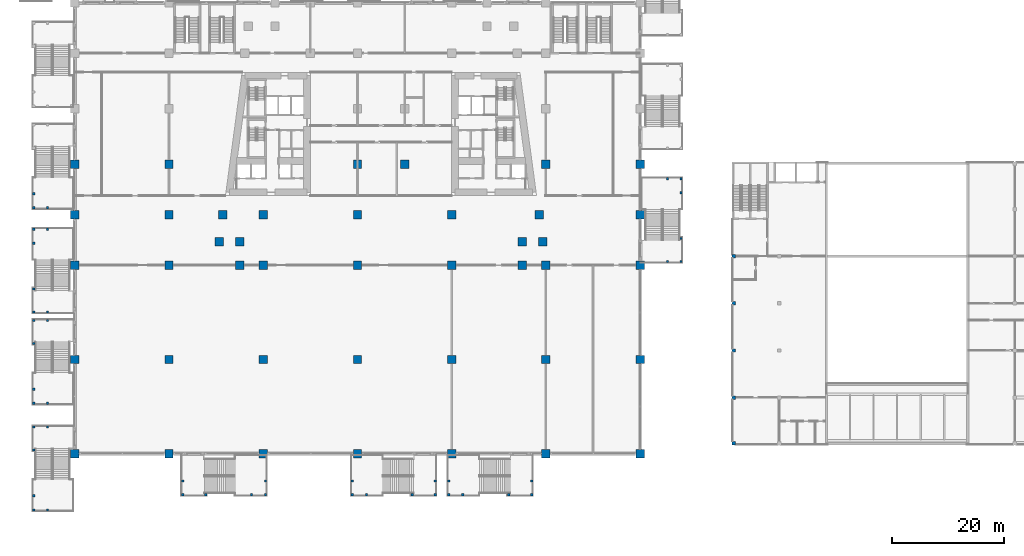
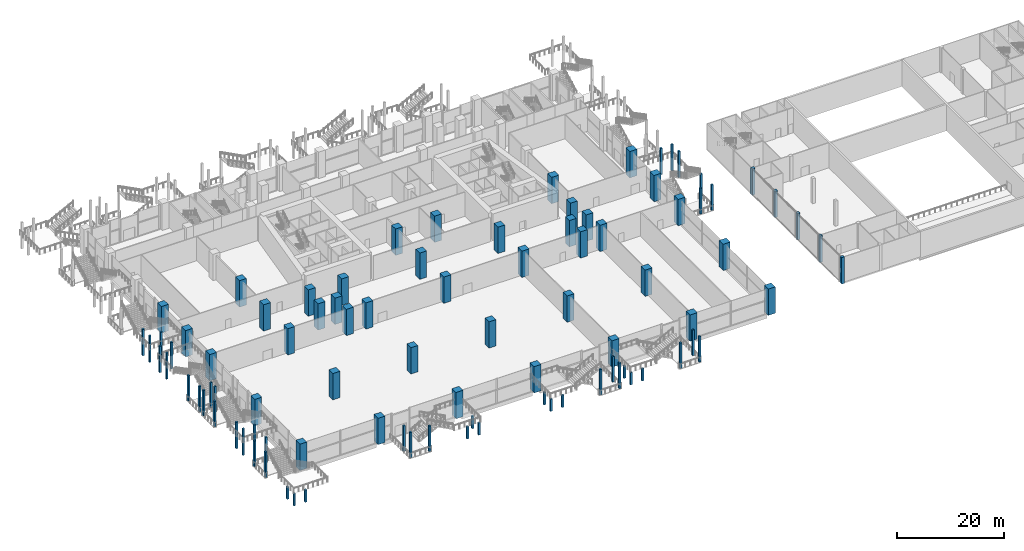
# One storey, part 1 of 49: 91 columns.
"""IFC4 building model written with IfcOpenShell, lengths in metres."""

from ifc_helpers import new_model, si_unit, direction, frame, origin, origin_2d, place, context, subcontext, project, spatial, rectangle, extrude, material, material_profile, profile_set, type_object, element, save


model = new_model("IFC4")

# Units and contexts
model_context = context("Model", 3, precision=1e-05, world=origin(), true_north=direction((0.0, 1.0)))
body_context = subcontext(model_context, "Body", "Model", "MODEL_VIEW")
ifc_project = project(units=[si_unit("LENGTHUNIT", "METRE"), si_unit("AREAUNIT", "SQUARE_METRE"), si_unit("VOLUMEUNIT", "CUBIC_METRE"), si_unit("PLANEANGLEUNIT", "RADIAN"), si_unit("MASSUNIT", "GRAM", prefix="KILO")], contexts=[model_context])

# Site, building, storey
site_placement = place(None, origin())
site = spatial("IfcSite", under=ifc_project, at=site_placement, CompositionType="ELEMENT")
building_placement = place(site_placement, origin())
building = spatial("IfcBuilding", under=site, at=building_placement, Name="Candeia Pilgrim Tower and Theatre", CompositionType="ELEMENT")
storey_placement = place(building_placement, frame((0.0, 0.0, 17.0)))
storey = spatial("IfcBuildingStorey", under=building, at=storey_placement, Name="L02", CompositionType="ELEMENT", Elevation=17.0)

# Columns
ifc_material_1 = material(Name="Concrete C40/50", Category="concrete")
ifc_material_profile_1 = material_profile(ifc_material_1, rectangle(XDim=0.39990234375, YDim=0.39990234375, at=origin_2d()))
ifc_profile_set_1 = profile_set([ifc_material_profile_1], Name="Concrete C40/50")
column_type_1 = type_object("IfcColumnType", Name="Escape stair column RC 400x400", PredefinedType="COLUMN", material=ifc_profile_set_1)
for number, where, z_axis, x_axis, name in (
    (1, (166.89990234375, 98.64990234375, 0.0), (0.0, 0.0, 1.0), (1.0, 0.0, 0.0), "External escape stair ES1 column N1.3"),
    (2, (166.89990234375, 102.75, 0.0), (0.0, 0.0, 1.0), (1.0, 0.0, 0.0), "External escape stair ES1 column N2.3"),
    (3, (164.47509765625, 98.64990234375, 0.0), (0.0, 0.0, 1.0), (1.0, 0.0, 0.0), "External escape stair ES1 column N3.3"),
):
    element("IfcColumn", number, at=place(storey_placement, frame(where, z_axis=z_axis, x_axis=x_axis)), inside=storey, type_object=column_type_1, Name=name, PredefinedType="COLUMN", context=body_context, shape_type="SweptSolid", body=[
        extrude(rectangle(XDim=0.39990234375, YDim=0.39990234375, at=origin_2d()), origin(), (0.0, 0.0, 1.0), 5.800048828125),
    ])
for number, where, z_axis, x_axis, name in (
    (4, (166.89990234375, 110.909912109375, 0.0), (0.0, 0.0, 1.0), (1.0, 0.0, 0.0), "External escape stair ES1 column F1.3"),
    (5, (166.89990234375, 113.409912109375, 0.0), (0.0, 0.0, 1.0), (1.0, 0.0, 0.0), "External escape stair ES1 column F2.3"),
    (6, (164.47509765625, 113.409912109375, 0.0), (0.0, 0.0, 1.0), (1.0, 0.0, 0.0), "External escape stair ES1 column F3.3"),
):
    element("IfcColumn", number, at=place(storey_placement, frame(where, z_axis=z_axis, x_axis=x_axis)), inside=storey, type_object=column_type_1, Name=name, PredefinedType="COLUMN", context=body_context, shape_type="SweptSolid", body=[
        extrude(rectangle(XDim=0.39990234375, YDim=0.39990234375, at=origin_2d()), origin(), (0.0, 0.0, 1.0), 6.0),
    ])
for number, where, z_axis, x_axis, name in (
    (7, (78.050048828125, 57.10009765625, 0.0), (0.0, 0.0, 1.0), (1.0, 0.0, 0.0), "External escape stair ES8 column N1.3"),
    (8, (82.14990234375, 57.10009765625, 0.0), (0.0, 0.0, 1.0), (1.0, 0.0, 0.0), "External escape stair ES8 column N2.3"),
    (9, (78.050048828125, 59.52490234375, 0.0), (0.0, 0.0, 1.0), (1.0, 0.0, 0.0), "External escape stair ES8 column N3.3"),
):
    element("IfcColumn", number, at=place(storey_placement, frame(where, z_axis=z_axis, x_axis=x_axis)), inside=storey, type_object=column_type_1, Name=name, PredefinedType="COLUMN", context=body_context, shape_type="SweptSolid", body=[
        extrude(rectangle(XDim=0.39990234375, YDim=0.39990234375, at=origin_2d()), origin(), (0.0, 0.0, 1.0), 5.800048828125),
    ])
for number, where, z_axis, x_axis, name in (
    (10, (90.31005859375, 57.10009765625, 0.0), (0.0, 0.0, 1.0), (1.0, 0.0, 0.0), "External escape stair ES8 column F1.3"),
    (11, (92.81005859375, 57.10009765625, 0.0), (0.0, 0.0, 1.0), (1.0, 0.0, 0.0), "External escape stair ES8 column F2.3"),
    (12, (92.81005859375, 59.52490234375, 0.0), (0.0, 0.0, 1.0), (1.0, 0.0, 0.0), "External escape stair ES8 column F3.3"),
):
    element("IfcColumn", number, at=place(storey_placement, frame(where, z_axis=z_axis, x_axis=x_axis)), inside=storey, type_object=column_type_1, Name=name, PredefinedType="COLUMN", context=body_context, shape_type="SweptSolid", body=[
        extrude(rectangle(XDim=0.39990234375, YDim=0.39990234375, at=origin_2d()), origin(), (0.0, 0.0, 1.0), 2.800048828125),
    ])
for number, where, z_axis, x_axis, name in (
    (13, (123.050048828125, 57.10009765625, 0.0), (0.0, 0.0, 1.0), (1.0, 0.0, 0.0), "External escape stair ES9 column N1.3"),
    (14, (118.949951171875, 57.10009765625, 0.0), (0.0, 0.0, 1.0), (1.0, 0.0, 0.0), "External escape stair ES9 column N2.3"),
    (15, (123.050048828125, 59.52490234375, 0.0), (0.0, 0.0, 1.0), (1.0, 0.0, 0.0), "External escape stair ES9 column N3.3"),
):
    element("IfcColumn", number, at=place(storey_placement, frame(where, z_axis=z_axis, x_axis=x_axis)), inside=storey, type_object=column_type_1, Name=name, PredefinedType="COLUMN", context=body_context, shape_type="SweptSolid", body=[
        extrude(rectangle(XDim=0.39990234375, YDim=0.39990234375, at=origin_2d()), origin(), (0.0, 0.0, 1.0), 5.800048828125),
    ])
for number, where, z_axis, x_axis, name in (
    (16, (110.7900390625, 57.10009765625, 0.0), (0.0, 0.0, 1.0), (1.0, 0.0, 0.0), "External escape stair ES9 column F1.3"),
    (17, (108.2900390625, 57.10009765625, 0.0), (0.0, 0.0, 1.0), (1.0, 0.0, 0.0), "External escape stair ES9 column F2.3"),
    (18, (108.2900390625, 59.52490234375, 0.0), (0.0, 0.0, 1.0), (1.0, 0.0, 0.0), "External escape stair ES9 column F3.3"),
):
    element("IfcColumn", number, at=place(storey_placement, frame(where, z_axis=z_axis, x_axis=x_axis)), inside=storey, type_object=column_type_1, Name=name, PredefinedType="COLUMN", context=body_context, shape_type="SweptSolid", body=[
        extrude(rectangle(XDim=0.39990234375, YDim=0.39990234375, at=origin_2d()), origin(), (0.0, 0.0, 1.0), 2.800048828125),
    ])
for number, where, z_axis, x_axis, name in (
    (19, (51.5, 69.14990234375, 0.0), (0.0, 0.0, 1.0), (1.0, 0.0, 0.0), "External escape stair ES10 column N1.3"),
    (20, (51.5, 65.050048828125, 0.0), (0.0, 0.0, 1.0), (1.0, 0.0, 0.0), "External escape stair ES10 column N2.3"),
    (21, (53.925048828125, 69.14990234375, 0.0), (0.0, 0.0, 1.0), (1.0, 0.0, 0.0), "External escape stair ES10 column N3.3"),
):
    element("IfcColumn", number, at=place(storey_placement, frame(where, z_axis=z_axis, x_axis=x_axis)), inside=storey, type_object=column_type_1, Name=name, PredefinedType="COLUMN", context=body_context, shape_type="SweptSolid", body=[
        extrude(rectangle(XDim=0.39990234375, YDim=0.39990234375, at=origin_2d()), origin(), (0.0, 0.0, 1.0), 5.800048828125),
    ])
for number, where, z_axis, x_axis, name in (
    (22, (51.5, 56.889892578125, 0.0), (0.0, 0.0, 1.0), (1.0, 0.0, 0.0), "External escape stair ES10 column F1.3"),
    (23, (51.5, 54.389892578125, 0.0), (0.0, 0.0, 1.0), (1.0, 0.0, 0.0), "External escape stair ES10 column F2.3"),
    (24, (53.925048828125, 54.389892578125, 0.0), (0.0, 0.0, 1.0), (1.0, 0.0, 0.0), "External escape stair ES10 column F3.3"),
):
    element("IfcColumn", number, at=place(storey_placement, frame(where, z_axis=z_axis, x_axis=x_axis)), inside=storey, type_object=column_type_1, Name=name, PredefinedType="COLUMN", context=body_context, shape_type="SweptSolid", body=[
        extrude(rectangle(XDim=0.39990234375, YDim=0.39990234375, at=origin_2d()), origin(), (0.0, 0.0, 1.0), 2.800048828125),
    ])
for number, where, z_axis, x_axis, name in (
    (25, (51.5, 88.14990234375, 0.0), (0.0, 0.0, 1.0), (1.0, 0.0, 0.0), "External escape stair ES11 column N1.3"),
    (26, (51.5, 84.050048828125, 0.0), (0.0, 0.0, 1.0), (1.0, 0.0, 0.0), "External escape stair ES11 column N2.3"),
    (27, (53.925048828125, 88.14990234375, 0.0), (0.0, 0.0, 1.0), (1.0, 0.0, 0.0), "External escape stair ES11 column N3.3"),
):
    element("IfcColumn", number, at=place(storey_placement, frame(where, z_axis=z_axis, x_axis=x_axis)), inside=storey, type_object=column_type_1, Name=name, PredefinedType="COLUMN", context=body_context, shape_type="SweptSolid", body=[
        extrude(rectangle(XDim=0.39990234375, YDim=0.39990234375, at=origin_2d()), origin(), (0.0, 0.0, 1.0), 5.800048828125),
    ])
for number, where, z_axis, x_axis, name in (
    (28, (51.5, 75.889892578125, 0.0), (0.0, 0.0, 1.0), (1.0, 0.0, 0.0), "External escape stair ES11 column F1.3"),
    (29, (51.5, 73.389892578125, 0.0), (0.0, 0.0, 1.0), (1.0, 0.0, 0.0), "External escape stair ES11 column F2.3"),
    (30, (53.925048828125, 73.389892578125, 0.0), (0.0, 0.0, 1.0), (1.0, 0.0, 0.0), "External escape stair ES11 column F3.3"),
):
    element("IfcColumn", number, at=place(storey_placement, frame(where, z_axis=z_axis, x_axis=x_axis)), inside=storey, type_object=column_type_1, Name=name, PredefinedType="COLUMN", context=body_context, shape_type="SweptSolid", body=[
        extrude(rectangle(XDim=0.39990234375, YDim=0.39990234375, at=origin_2d()), origin(), (0.0, 0.0, 1.0), 6.0),
    ])
for number, where, z_axis, x_axis, name in (
    (31, (51.5, 89.64990234375, 0.0), (0.0, 0.0, 1.0), (1.0, 0.0, 0.0), "External escape stair ES12 column N1.3"),
    (32, (51.5, 93.75, 0.0), (0.0, 0.0, 1.0), (1.0, 0.0, 0.0), "External escape stair ES12 column N2.3"),
    (33, (53.925048828125, 89.64990234375, 0.0), (0.0, 0.0, 1.0), (1.0, 0.0, 0.0), "External escape stair ES12 column N3.3"),
):
    element("IfcColumn", number, at=place(storey_placement, frame(where, z_axis=z_axis, x_axis=x_axis)), inside=storey, type_object=column_type_1, Name=name, PredefinedType="COLUMN", context=body_context, shape_type="SweptSolid", body=[
        extrude(rectangle(XDim=0.39990234375, YDim=0.39990234375, at=origin_2d()), origin(), (0.0, 0.0, 1.0), 5.800048828125),
    ])
for number, where, z_axis, x_axis, name in (
    (34, (51.5, 101.909912109375, 0.0), (0.0, 0.0, 1.0), (1.0, 0.0, 0.0), "External escape stair ES12 column F1.3"),
    (35, (51.5, 104.409912109375, 0.0), (0.0, 0.0, 1.0), (1.0, 0.0, 0.0), "External escape stair ES12 column F2.3"),
    (36, (53.925048828125, 104.409912109375, 0.0), (0.0, 0.0, 1.0), (1.0, 0.0, 0.0), "External escape stair ES12 column F3.3"),
    (37, (51.5, 110.739990234375, 0.0), (0.0, 0.0, 1.0), (1.0, 0.0, 0.0), "External escape stair ES15 column F1.3"),
    (38, (51.5, 108.239990234375, 0.0), (0.0, 0.0, 1.0), (1.0, 0.0, 0.0), "External escape stair ES15 column F2.3"),
    (39, (53.925048828125, 108.239990234375, 0.0), (0.0, 0.0, 1.0), (1.0, 0.0, 0.0), "External escape stair ES15 column F3.3"),
):
    element("IfcColumn", number, at=place(storey_placement, frame(where, z_axis=z_axis, x_axis=x_axis)), inside=storey, type_object=column_type_1, Name=name, PredefinedType="COLUMN", context=body_context, shape_type="SweptSolid", body=[
        extrude(rectangle(XDim=0.39990234375, YDim=0.39990234375, at=origin_2d()), origin(), (0.0, 0.0, 1.0), 6.0),
    ])
for number, where, z_axis, x_axis, name in (
    (40, (140.25, 57.10009765625, 0.0), (0.0, 0.0, 1.0), (1.0, 0.0, 0.0), "External escape stair ES16 column N1.3"),
    (41, (136.14990234375, 57.10009765625, 0.0), (0.0, 0.0, 1.0), (1.0, 0.0, 0.0), "External escape stair ES16 column N2.3"),
    (42, (140.25, 59.52490234375, 0.0), (0.0, 0.0, 1.0), (1.0, 0.0, 0.0), "External escape stair ES16 column N3.3"),
):
    element("IfcColumn", number, at=place(storey_placement, frame(where, z_axis=z_axis, x_axis=x_axis)), inside=storey, type_object=column_type_1, Name=name, PredefinedType="COLUMN", context=body_context, shape_type="SweptSolid", body=[
        extrude(rectangle(XDim=0.39990234375, YDim=0.39990234375, at=origin_2d()), origin(), (0.0, 0.0, 1.0), 5.800048828125),
    ])
for number, where, z_axis, x_axis, name in (
    (43, (127.989990234375, 57.10009765625, 0.0), (0.0, 0.0, 1.0), (1.0, 0.0, 0.0), "External escape stair ES16 column F1.3"),
    (44, (125.489990234375, 57.10009765625, 0.0), (0.0, 0.0, 1.0), (1.0, 0.0, 0.0), "External escape stair ES16 column F2.3"),
    (45, (125.489990234375, 59.52490234375, 0.0), (0.0, 0.0, 1.0), (1.0, 0.0, 0.0), "External escape stair ES16 column F3.3"),
):
    element("IfcColumn", number, at=place(storey_placement, frame(where, z_axis=z_axis, x_axis=x_axis)), inside=storey, type_object=column_type_1, Name=name, PredefinedType="COLUMN", context=body_context, shape_type="SweptSolid", body=[
        extrude(rectangle(XDim=0.39990234375, YDim=0.39990234375, at=origin_2d()), origin(), (0.0, 0.0, 1.0), 2.800048828125),
    ])
ifc_material_2 = material(Name="Concrete C80/95", Category="concrete")
ifc_material_profile_2 = material_profile(ifc_material_2, rectangle(XDim=1.5, YDim=1.5, at=origin_2d()))
ifc_profile_set_2 = profile_set([ifc_material_profile_2], Name="Concrete C80/95")
column_type_2 = type_object("IfcColumnType", Name="RC 1500x1500 C80/95", PredefinedType="COLUMN", material=ifc_profile_set_2)
for number, where, z_axis, x_axis, name in (
    (46, (58.800048828125, 64.39990234375, 0.0), (0.0, 0.0, 1.0), (1.0, 0.0, 0.0), "Column P-0252-0336"),
    (47, (75.60009765625, 64.39990234375, 0.0), (0.0, 0.0, 1.0), (1.0, 0.0, 0.0), "Column P-0084-0336"),
    (48, (92.39990234375, 64.39990234375, 0.0), (0.0, 0.0, 1.0), (1.0, 0.0, 0.0), "Column P+0084-0336"),
    (49, (109.199951171875, 64.39990234375, 0.0), (0.0, 0.0, 1.0), (1.0, 0.0, 0.0), "Column P+0252-0336"),
    (50, (126.0, 64.39990234375, 0.0), (0.0, 0.0, 1.0), (1.0, 0.0, 0.0), "Column P+0420-0336"),
    (51, (142.800048828125, 64.39990234375, 0.0), (0.0, 0.0, 1.0), (1.0, 0.0, 0.0), "Column P+0588-0336"),
    (52, (159.60009765625, 64.39990234375, 0.0), (0.0, 0.0, 1.0), (1.0, 0.0, 0.0), "Column P+0756-0336"),
    (53, (58.800048828125, 81.199951171875, 0.0), (0.0, 0.0, 1.0), (1.0, 0.0, 0.0), "Column P-0252-0168"),
    (54, (75.60009765625, 81.199951171875, 0.0), (0.0, 0.0, 1.0), (1.0, 0.0, 0.0), "Column P-0084-0168"),
    (55, (92.39990234375, 81.199951171875, 0.0), (0.0, 0.0, 1.0), (1.0, 0.0, 0.0), "Column P+0084-0168"),
    (56, (109.199951171875, 81.199951171875, 0.0), (0.0, 0.0, 1.0), (1.0, 0.0, 0.0), "Column P+0252-0168"),
    (57, (126.0, 81.199951171875, 0.0), (0.0, 0.0, 1.0), (1.0, 0.0, 0.0), "Column P+0420-0168"),
    (58, (142.800048828125, 81.199951171875, 0.0), (0.0, 0.0, 1.0), (1.0, 0.0, 0.0), "Column P+0588-0168"),
    (59, (159.60009765625, 81.199951171875, 0.0), (0.0, 0.0, 1.0), (1.0, 0.0, 0.0), "Column P+0756-0168"),
    (60, (58.800048828125, 98.0, 0.0), (0.0, 0.0, 1.0), (1.0, 0.0, 0.0), "Column P-0252+0000"),
    (61, (75.60009765625, 98.0, 0.0), (0.0, 0.0, 1.0), (1.0, 0.0, 0.0), "Column P-0084+0000"),
    (62, (88.199951171875, 98.0, 0.0), (0.0, 0.0, 1.0), (1.0, 0.0, 0.0), "Column P+0042+0000"),
    (63, (92.39990234375, 98.0, 0.0), (0.0, 0.0, 1.0), (1.0, 0.0, 0.0), "Column P+0084+0000"),
    (64, (109.199951171875, 98.0, 0.0), (0.0, 0.0, 1.0), (1.0, 0.0, 0.0), "Column P+0252+0000"),
    (65, (126.0, 98.0, 0.0), (0.0, 0.0, 1.0), (1.0, 0.0, 0.0), "Column P+0420+0000"),
    (66, (138.60009765625, 98.0, 0.0), (0.0, 0.0, 1.0), (1.0, 0.0, 0.0), "Column P+0546+0000"),
    (67, (142.800048828125, 98.0, 0.0), (0.0, 0.0, 1.0), (1.0, 0.0, 0.0), "Column P+0588+0000"),
    (68, (159.60009765625, 98.0, 0.0), (0.0, 0.0, 1.0), (1.0, 0.0, 0.0), "Column P+0756+0000"),
    (69, (84.5654296875, 102.199951171875, 0.0), (0.0, 0.0, 1.0), (1.0, 0.0, 0.0), "Column P+0006+0042"),
    (70, (88.199951171875, 102.199951171875, 0.0), (0.0, 0.0, 1.0), (1.0, 0.0, 0.0), "Column P+0042+0042"),
    (71, (138.60009765625, 102.199951171875, 0.0), (0.0, 0.0, 1.0), (1.0, 0.0, 0.0), "Column P+0546+0042"),
    (72, (142.234619140625, 102.199951171875, 0.0), (0.0, 0.0, 1.0), (1.0, 0.0, 0.0), "Column P+0582+0042"),
    (73, (58.800048828125, 107.0, 0.0), (0.0, 0.0, 1.0), (1.0, 0.0, 0.0), "Column P-0252+0090"),
    (74, (75.60009765625, 107.0, 0.0), (0.0, 0.0, 1.0), (1.0, 0.0, 0.0), "Column P-0084+0090"),
    (75, (85.21142578125, 107.0, 0.0), (0.0, 0.0, 1.0), (1.0, 0.0, 0.0), "Column P+0012+0090"),
    (76, (92.39990234375, 107.0, 0.0), (0.0, 0.0, 1.0), (1.0, 0.0, 0.0), "Column P+0084+0090"),
    (77, (109.199951171875, 107.0, 0.0), (0.0, 0.0, 1.0), (1.0, 0.0, 0.0), "Column P+0252+0090"),
    (78, (126.0, 107.0, 0.0), (0.0, 0.0, 1.0), (1.0, 0.0, 0.0), "Column P+0420+0090"),
    (79, (141.58837890625, 107.0, 0.0), (0.0, 0.0, 1.0), (1.0, 0.0, 0.0), "Column P+0576+0090"),
    (80, (159.60009765625, 107.0, 0.0), (0.0, 0.0, 1.0), (1.0, 0.0, 0.0), "Column P+0756+0090"),
    (81, (58.800048828125, 116.0, 0.0), (0.0, 0.0, 1.0), (1.0, 0.0, 0.0), "Column P-0252+0180"),
    (82, (75.60009765625, 116.0, 0.0), (0.0, 0.0, 1.0), (1.0, 0.0, 0.0), "Column P-0084+0180"),
    (83, (109.199951171875, 116.0, 0.0), (0.0, 0.0, 1.0), (1.0, 0.0, 0.0), "Column P+0252+0180"),
    (84, (117.60009765625, 116.0, 0.0), (0.0, 0.0, 1.0), (1.0, 0.0, 0.0), "Column P+0336+0180"),
    (85, (142.800048828125, 116.0, 0.0), (0.0, 0.0, 1.0), (1.0, 0.0, 0.0), "Column P+0588+0180"),
    (86, (159.60009765625, 116.0, 0.0), (0.0, 0.0, 1.0), (1.0, 0.0, 0.0), "Column P+0756+0180"),
):
    element("IfcColumn", number, at=place(storey_placement, frame(where, z_axis=z_axis, x_axis=x_axis)), inside=storey, type_object=column_type_2, Name=name, PredefinedType="COLUMN", context=body_context, shape_type="SweptSolid", body=[
        extrude(rectangle(XDim=1.5, YDim=1.5, at=origin_2d()), origin(), (0.0, 0.0, 1.0), 6.0),
    ])
ifc_material_profile_3 = material_profile(ifc_material_1, rectangle(XDim=0.60009765625, YDim=0.60009765625, at=origin_2d()))
ifc_profile_set_3 = profile_set([ifc_material_profile_3], Name="Concrete C40/50")
column_type_3 = type_object("IfcColumnType", Name="Theatre column 600x600", PredefinedType="COLUMN", material=ifc_profile_set_3)
for number, where, z_axis, x_axis, name in (
    (87, (176.300048828125, 66.300048828125, -0.300048828125), (0.0, 0.0, 1.0), (1.0, 0.0, 0.0), "Column TC-A1 L02"),
    (88, (176.300048828125, 74.39990234375, -0.300048828125), (0.0, 0.0, 1.0), (1.0, 0.0, 0.0), "Column TC-B1 L02"),
    (89, (176.300048828125, 82.800048828125, -0.300048828125), (0.0, 0.0, 1.0), (1.0, 0.0, 0.0), "Column TC-C1 L02"),
    (90, (176.300048828125, 91.199951171875, -0.300048828125), (0.0, 0.0, 1.0), (1.0, 0.0, 0.0), "Column TC-D1 L02"),
    (91, (176.300048828125, 99.60009765625, -0.300048828125), (0.0, 0.0, 1.0), (1.0, 0.0, 0.0), "Column TC-E1 L02"),
):
    element("IfcColumn", number, at=place(storey_placement, frame(where, z_axis=z_axis, x_axis=x_axis)), inside=storey, type_object=column_type_3, Name=name, PredefinedType="COLUMN", context=body_context, shape_type="SweptSolid", body=[
        extrude(rectangle(XDim=0.60009765625, YDim=0.60009765625, at=origin_2d()), origin(), (0.0, 0.0, 1.0), 6.0),
    ])

save(model, "model.ifc")
